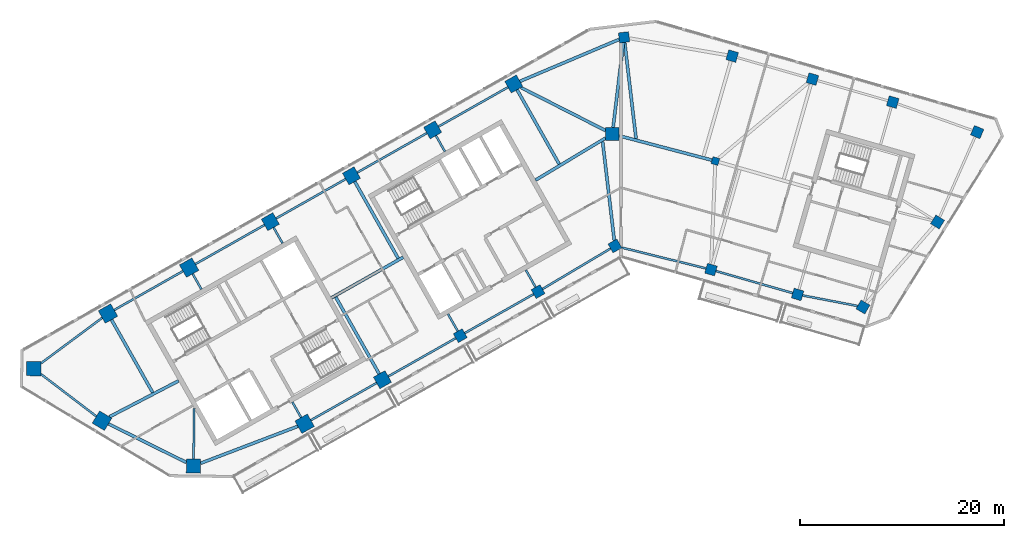
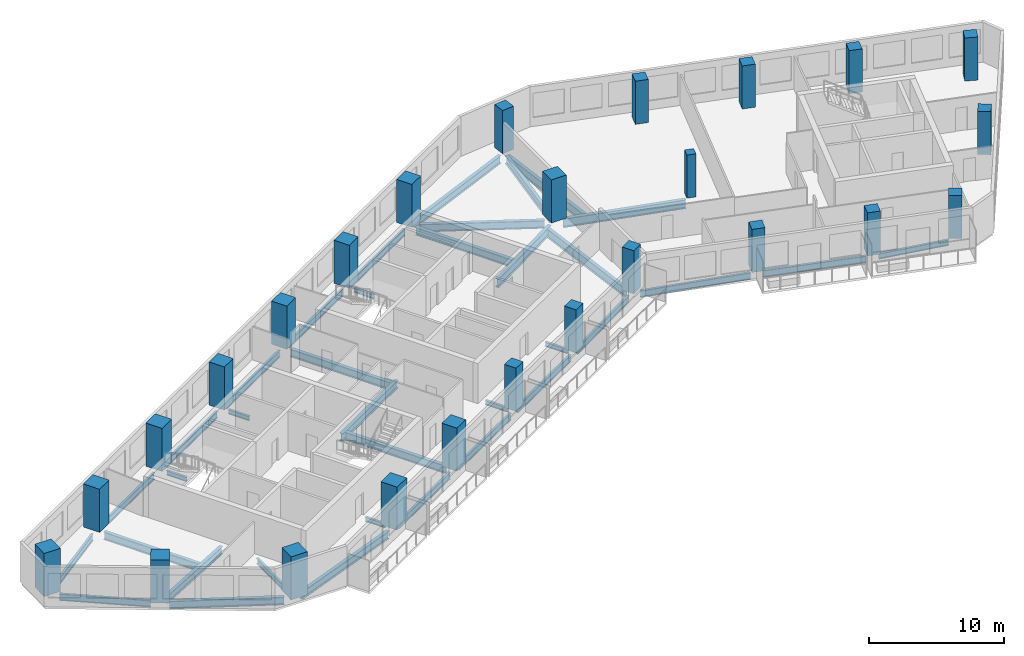
# One storey, part 1 of 12: 36 beams, 25 columns.
"""IFC4 building model written with IfcOpenShell, lengths in metres."""

from ifc_helpers import new_model, si_unit, direction, frame, origin, origin_2d, place, context, subcontext, project, spatial, rectangle, i_section, extrude, material, material_profile, profile_set, type_object, element, save


model = new_model("IFC4")

# Units and contexts
model_context = context("Model", 3, precision=1e-05, world=origin(), true_north=direction((0.0, 1.0)))
body_context = subcontext(model_context, "Body", "Model", "MODEL_VIEW")
ifc_project = project(units=[si_unit("LENGTHUNIT", "METRE"), si_unit("AREAUNIT", "SQUARE_METRE"), si_unit("VOLUMEUNIT", "CUBIC_METRE"), si_unit("PLANEANGLEUNIT", "RADIAN"), si_unit("MASSUNIT", "GRAM", prefix="KILO")], contexts=[model_context])

# Site, building, storey
site_placement = place(None, origin())
site = spatial("IfcSite", under=ifc_project, at=site_placement, CompositionType="ELEMENT")
building_placement = place(site_placement, origin())
building = spatial("IfcBuilding", under=site, at=building_placement, Name="Binnacle Exchange Tower", CompositionType="ELEMENT")
storey_placement = place(building_placement, frame((0.0, 0.0, 211.39990234375)))
storey = spatial("IfcBuildingStorey", under=building, at=storey_placement, Name="L46", CompositionType="ELEMENT", Elevation=211.39990234375)

# Columns
ifc_material_1 = material(Name="Concrete C60/75", Category="concrete")
ifc_material_profile_1 = material_profile(ifc_material_1, rectangle(XDim=0.699951171875, YDim=0.699951171875, at=origin_2d()), Name="Column 700x700 C60/75")
ifc_profile_set_1 = profile_set([ifc_material_profile_1], Name="Concrete C60/75")
column_type_1 = type_object("IfcColumnType", Name="Column 700x700 C60/75", PredefinedType="COLUMN", material=ifc_profile_set_1)
column_placement = place(storey_placement, frame((9.240966796875, 57.35009765625, 0.0), z_axis=(0.0, 0.0, 1.0), x_axis=(0.961261695938, -0.275637355817, 0.0)))
element("IfcColumn", 1, at=column_placement, inside=storey, type_object=column_type_1, Name="S:COL:C19:L46", PredefinedType="COLUMN", context=body_context, shape_type="SweptSolid", body=[
    extrude(rectangle(XDim=0.699951171875, YDim=0.699951171875, at=origin_2d()), origin(), (0.0, 0.0, 1.0), 3.900146484375),
])
ifc_material_profile_2 = material_profile(ifc_material_1, rectangle(XDim=1.0, YDim=1.0, at=origin_2d()), Name="Mega column 1000x1000 C60/75")
ifc_profile_set_2 = profile_set([ifc_material_profile_2], Name="Concrete C60/75")
column_type_2 = type_object("IfcColumnType", Name="Mega column 1000x1000 C60/75", PredefinedType="COLUMN", material=ifc_profile_set_2)
for number, where, z_axis, x_axis, name in (
    (2, (26.602783203125, 63.12353515625, 0.0), (0.0, 0.0, 1.0), (-0.961261695938, 0.275637355817, 0.0), "S:COL:MC52:L46"),
    (3, (18.746337890625, 65.376220703125, 0.0), (0.0, 0.0, 1.0), (-0.961261695938, 0.275637355817, 0.0), "S:COL:MC50:L46"),
    (4, (10.889892578125, 67.62890625, 0.0), (0.0, 0.0, 1.0), (-0.961261695938, 0.275637355817, 0.0), "S:COL:MC48:L46"),
    (5, (0.300048828125, 69.464111328125, 0.0), (0.0, 0.0, 1.0), (-0.993068456955, -0.117537397458, 0.0), "S:COL:MC47:L46"),
    (6, (-15.736328125, 40.257080078125, 0.0), (0.0, 0.0, 1.0), (0.87035569594, 0.492423560103, 0.0), "S:COL:MC24:L46"),
    (7, (-8.116943359375, 44.568115234375, 0.0), (0.0, 0.0, 1.0), (0.87035569594, 0.492423560103, 0.0), "S:COL:MC35:L46"),
    (8, (-0.5908203125, 49.04443359375, 0.0), (0.0, 0.0, 1.0), (0.87035569594, 0.492423560103, 0.0), "S:COL:MC46:L46"),
    (9, (8.8095703125, 46.722412109375, 0.0), (0.0, 0.0, 1.0), (0.961261695938, -0.275637355817, 0.0), "S:COL:MC49:L46"),
    (10, (17.2880859375, 44.291015625, 0.0), (0.0, 0.0, 1.0), (0.961261695938, -0.275637355817, 0.0), "S:COL:MC51:L46"),
    (11, (23.690185546875, 43.062744140625, 0.0), (0.0, 0.0, 1.0), (-0.86532642813, 0.501208711795, 0.0), "S:COL:MC53:L46"),
    (12, (30.989501953125, 51.38623046875, 0.0), (0.0, 0.0, 1.0), (0.529919264233, 0.848048096156, 0.0), "S:COL:MC55:L46"),
    (13, (34.870361328125, 60.18701171875, 0.0), (0.0, 0.0, 1.0), (-0.922814001807, 0.385245789164, 0.0), "S:COL:MC54:L46"),
):
    element("IfcColumn", number, at=place(storey_placement, frame(where, z_axis=z_axis, x_axis=x_axis)), inside=storey, type_object=column_type_2, Name=name, PredefinedType="COLUMN", context=body_context, shape_type="SweptSolid", body=[
        extrude(rectangle(XDim=1.0, YDim=1.0, at=origin_2d()), origin(), (0.0, 0.0, 1.0), 3.900146484375),
    ])
ifc_material_profile_3 = material_profile(ifc_material_1, rectangle(XDim=1.300048828125, YDim=1.300048828125, at=origin_2d()), Name="Mega column 1300x1300 C60/75")
ifc_profile_set_3 = profile_set([ifc_material_profile_3], Name="Concrete C60/75")
column_type_3 = type_object("IfcColumnType", Name="Mega column 1300x1300 C60/75", PredefinedType="COLUMN", material=ifc_profile_set_3)
for number, where, z_axis, x_axis, name in (
    (14, (-10.4951171875, 64.901611328125, 0.0), (0.0, 0.0, 1.0), (-0.87035569594, -0.492423560103, 0.0), "S:COL:MC38:L46"),
    (15, (-18.44140625, 60.406005859375, 0.0), (0.0, 0.0, 1.0), (-0.87035569594, -0.492423560103, 0.0), "S:COL:MC29:L46"),
    (16, (-26.3876953125, 55.91015625, 0.0), (0.0, 0.0, 1.0), (-0.87035569594, -0.492423560103, 0.0), "S:COL:MC21:L46"),
    (17, (-34.333740234375, 51.414306640625, 0.0), (0.0, 0.0, 1.0), (-0.87035569594, -0.492423560103, 0.0), "S:COL:MC13:L46"),
    (18, (-23.35595703125, 35.9462890625, 0.0), (0.0, 0.0, 1.0), (0.87035569594, 0.492423560103, 0.0), "S:COL:MC16:L46"),
    (19, (-0.85009765625, 60.0, 0.0), (0.0, 0.0, 1.0), (0.0, 1.0, 0.0), "S:COL:MC45:L46"),
):
    element("IfcColumn", number, at=place(storey_placement, frame(where, z_axis=z_axis, x_axis=x_axis)), inside=storey, type_object=column_type_3, Name=name, PredefinedType="COLUMN", context=body_context, shape_type="SweptSolid", body=[
        extrude(rectangle(XDim=1.300048828125, YDim=1.300048828125, at=origin_2d()), origin(), (0.0, 0.0, 1.0), 3.900146484375),
    ])
ifc_material_profile_4 = material_profile(ifc_material_1, rectangle(XDim=1.39990234375, YDim=1.39990234375, at=origin_2d()), Name="Mega column 1400x1400 C60/75")
ifc_profile_set_4 = profile_set([ifc_material_profile_4], Name="Concrete C60/75")
column_type_4 = type_object("IfcColumnType", Name="Mega column 1400x1400 C60/75", PredefinedType="COLUMN", material=ifc_profile_set_4)
for number, where, z_axis, x_axis, name in (
    (20, (-42.280029296875, 46.918701171875, 0.0), (0.0, 0.0, 1.0), (-0.87035569594, -0.492423560103, 0.0), "S:COL:MC08:L46"),
    (21, (-50.226318359375, 42.4228515625, 0.0), (0.0, 0.0, 1.0), (-0.87035569594, -0.492423560103, 0.0), "S:COL:MC04:L46"),
    (22, (-57.492919921875, 37.02734375, 0.0), (0.0, 0.0, 1.0), (-0.013089595571, -0.999914327574, 0.0), "S:COL:MC02:L46"),
    (23, (-50.81201171875, 31.930908203125, 0.0), (0.0, 0.0, 1.0), (0.857167300702, -0.51503807491, 0.0), "S:COL:MC01:L46"),
    (24, (-41.857666015625, 27.494873046875, 0.0), (0.0, 0.0, 1.0), (0.999914327574, -0.013089595571, 0.0), "S:COL:MC03:L46"),
    (25, (-30.9755859375, 31.63525390625, 0.0), (0.0, 0.0, 1.0), (0.87035569594, 0.492423560103, 0.0), "S:COL:MC07:L46"),
):
    element("IfcColumn", number, at=place(storey_placement, frame(where, z_axis=z_axis, x_axis=x_axis)), inside=storey, type_object=column_type_4, Name=name, PredefinedType="COLUMN", context=body_context, shape_type="SweptSolid", body=[
        extrude(rectangle(XDim=1.39990234375, YDim=1.39990234375, at=origin_2d()), origin(), (0.0, 0.0, 1.0), 3.900146484375),
    ])

# Beams
ifc_material_2 = material(Name="Steel S355 (SHN355)", Category="steel")
ifc_material_profile_5 = material_profile(ifc_material_2, i_section(OverallWidth=0.199951171875, OverallDepth=0.5, WebThickness=0.010009765625, FlangeThickness=0.01611328125, FilletRadius=0.02001953125, at=origin_2d()), Name="H 500x200x10x16")
ifc_profile_set_5 = profile_set([ifc_material_profile_5], Name="Steel S355 (SHN355)")
beam_type_1 = type_object("IfcBeamType", Name="Edge girder H 500x200x10x16 Steel S355 (SHN355)", PredefinedType="SPANDREL", material=ifc_profile_set_5)
beam_1_placement = place(storey_placement, frame((17.78125, 44.196533203125, -0.52978515625), z_axis=(0.98208728148, -0.188426568073, 0.0), x_axis=(0.188426568073, 0.98208728148, 0.0)))
element("IfcBeam", 26, at=beam_1_placement, inside=storey, type_object=beam_type_1, Name="S:BM:edge:L46:028", PredefinedType="SPANDREL", context=body_context, shape_type="SweptSolid", body=[
    extrude(i_section(OverallWidth=0.199951171875, OverallDepth=0.5, WebThickness=0.010009765625, FlangeThickness=0.01611328125, FilletRadius=0.02001953125, at=origin_2d()), origin(), (0.0, 0.0, 1.0), 5.4873046875),
])
ifc_material_profile_6 = material_profile(ifc_material_2, i_section(OverallWidth=0.199951171875, OverallDepth=0.60009765625, WebThickness=0.010986328125, FlangeThickness=0.01708984375, FilletRadius=0.02197265625, at=origin_2d()), Name="H 600x200x11x17")
ifc_profile_set_6 = profile_set([ifc_material_profile_6], Name="Steel S355 (SHN355)")
beam_type_2 = type_object("IfcBeamType", Name="Edge girder H 600x200x11x17 Steel S355 (SHN355)", PredefinedType="SPANDREL", material=ifc_profile_set_6)
beam_2_placement = place(storey_placement, frame((-56.7998046875, 36.49853515625, -0.579833984375), z_axis=(0.795081038606, -0.606503208606, 0.0), x_axis=(0.606503208606, 0.795081038606, 0.0)))
element("IfcBeam", 27, at=beam_2_placement, inside=storey, type_object=beam_type_2, Name="S:BM:edge:L46:011", PredefinedType="SPANDREL", context=body_context, shape_type="SweptSolid", body=[
    extrude(i_section(OverallWidth=0.199951171875, OverallDepth=0.60009765625, WebThickness=0.010986328125, FlangeThickness=0.01708984375, FilletRadius=0.02197265625, at=origin_2d()), origin(), (0.0, 0.0, 1.0), 6.82666015625),
])
ifc_material_profile_7 = material_profile(ifc_material_2, i_section(OverallWidth=0.200927734375, OverallDepth=0.60595703125, WebThickness=0.011962890625, FlangeThickness=0.02001953125, FilletRadius=0.02197265625, at=origin_2d()), Name="H 606x201x12x20")
ifc_profile_set_7 = profile_set([ifc_material_profile_7], Name="Steel S355 (SHN355)")
beam_type_3 = type_object("IfcBeamType", Name="Edge girder H 606x201x12x20 Steel S355 (SHN355)", PredefinedType="SPANDREL", material=ifc_profile_set_7)
beam_3_placement = place(storey_placement, frame((-50.79248046875, 42.00244140625, -0.5830078125), z_axis=(-0.802886959261, -0.596131303194, 0.0), x_axis=(0.596131303194, -0.802886959261, 0.0)))
element("IfcBeam", 28, at=beam_3_placement, inside=storey, type_object=beam_type_3, Name="S:BM:edge:L46:012", PredefinedType="SPANDREL", context=body_context, shape_type="SweptSolid", body=[
    extrude(i_section(OverallWidth=0.200927734375, OverallDepth=0.60595703125, WebThickness=0.011962890625, FlangeThickness=0.02001953125, FilletRadius=0.02197265625, at=origin_2d()), origin(), (0.0, 0.0, 1.0), 7.465087890625),
])
beam_4_placement = place(storey_placement, frame((-30.3662109375, 31.97998046875, -0.5830078125), z_axis=(0.87035151347, 0.49243095252, 0.0), x_axis=(-0.49243095252, 0.87035151347, 0.0)))
element("IfcBeam", 29, at=beam_4_placement, inside=storey, type_object=beam_type_3, Name="S:BM:edge:L46:017", PredefinedType="SPANDREL", context=body_context, shape_type="SweptSolid", body=[
    extrude(i_section(OverallWidth=0.200927734375, OverallDepth=0.60595703125, WebThickness=0.011962890625, FlangeThickness=0.02001953125, FilletRadius=0.02197265625, at=origin_2d()), origin(), (0.0, 0.0, 1.0), 7.404541015625),
])
beam_5_placement = place(storey_placement, frame((-22.790283203125, 36.266357421875, -0.5830078125), z_axis=(0.870357072119, 0.492421127708, 0.0), x_axis=(-0.492421127708, 0.870357072119, 0.0)))
element("IfcBeam", 30, at=beam_5_placement, inside=storey, type_object=beam_type_3, Name="S:BM:edge:L46:019", PredefinedType="SPANDREL", context=body_context, shape_type="SweptSolid", body=[
    extrude(i_section(OverallWidth=0.200927734375, OverallDepth=0.60595703125, WebThickness=0.011962890625, FlangeThickness=0.02001953125, FilletRadius=0.02197265625, at=origin_2d()), origin(), (0.0, 0.0, 1.0), 7.6044921875),
])
beam_6_placement = place(storey_placement, frame((-15.30126953125, 40.50341796875, -0.5830078125), z_axis=(0.870352841483, 0.492428605304, 0.0), x_axis=(-0.492428605304, 0.870352841483, 0.0)))
element("IfcBeam", 31, at=beam_6_placement, inside=storey, type_object=beam_type_3, Name="S:BM:edge:L46:021", PredefinedType="SPANDREL", context=body_context, shape_type="SweptSolid", body=[
    extrude(i_section(OverallWidth=0.200927734375, OverallDepth=0.60595703125, WebThickness=0.011962890625, FlangeThickness=0.02001953125, FilletRadius=0.02197265625, at=origin_2d()), origin(), (0.0, 0.0, 1.0), 7.754638671875),
])
beam_7_placement = place(storey_placement, frame((-7.68701171875, 44.82373046875, -0.5830078125), z_axis=(0.859458521045, 0.51120548765, 0.0), x_axis=(-0.51120548765, 0.859458521045, 0.0)))
element("IfcBeam", 32, at=beam_7_placement, inside=storey, type_object=beam_type_3, Name="S:BM:edge:L46:023", PredefinedType="SPANDREL", context=body_context, shape_type="SweptSolid", body=[
    extrude(i_section(OverallWidth=0.200927734375, OverallDepth=0.60595703125, WebThickness=0.011962890625, FlangeThickness=0.02001953125, FilletRadius=0.02197265625, at=origin_2d()), origin(), (0.0, 0.0, 1.0), 7.75634765625),
])
beam_8_placement = place(storey_placement, frame((9.2900390625, 46.58447265625, -0.5830078125), z_axis=(0.961265533153, -0.275623973506, 0.0), x_axis=(0.275623973506, 0.961265533153, 0.0)))
element("IfcBeam", 33, at=beam_8_placement, inside=storey, type_object=beam_type_3, Name="S:BM:edge:L46:026", PredefinedType="SPANDREL", context=body_context, shape_type="SweptSolid", body=[
    extrude(i_section(OverallWidth=0.200927734375, OverallDepth=0.60595703125, WebThickness=0.011962890625, FlangeThickness=0.02001953125, FilletRadius=0.02197265625, at=origin_2d()), origin(), (0.0, 0.0, 1.0), 7.820556640625),
])
ifc_material_profile_8 = material_profile(ifc_material_2, i_section(OverallWidth=0.201904296875, OverallDepth=0.612060546875, WebThickness=0.012939453125, FlangeThickness=0.02294921875, FilletRadius=0.02197265625, at=origin_2d()), Name="H 612x202x13x23")
ifc_profile_set_8 = profile_set([ifc_material_profile_8], Name="Steel S355 (SHN355)")
beam_type_4 = type_object("IfcBeamType", Name="Edge girder H 612x202x13x23 Steel S355 (SHN355)", PredefinedType="SPANDREL", material=ifc_profile_set_8)
beam_9_placement = place(storey_placement, frame((-42.88916015625, 46.573974609375, -0.5859375), z_axis=(-0.870355702011, -0.492423549372, 0.0), x_axis=(0.492423549372, -0.870355702011, 0.0)))
element("IfcBeam", 34, at=beam_9_placement, inside=storey, type_object=beam_type_4, Name="S:BM:edge:L46:014", PredefinedType="SPANDREL", context=body_context, shape_type="SweptSolid", body=[
    extrude(i_section(OverallWidth=0.201904296875, OverallDepth=0.612060546875, WebThickness=0.012939453125, FlangeThickness=0.02294921875, FilletRadius=0.02197265625, at=origin_2d()), origin(), (0.0, 0.0, 1.0), 7.72998046875),
])
beam_10_placement = place(storey_placement, frame((-34.8994140625, 51.09423828125, -0.5859375), z_axis=(-0.870365218126, -0.492406729317, 0.0), x_axis=(0.492406729317, -0.870365218126, 0.0)))
element("IfcBeam", 35, at=beam_10_placement, inside=storey, type_object=beam_type_4, Name="S:BM:edge:L46:016", PredefinedType="SPANDREL", context=body_context, shape_type="SweptSolid", body=[
    extrude(i_section(OverallWidth=0.201904296875, OverallDepth=0.612060546875, WebThickness=0.012939453125, FlangeThickness=0.02294921875, FilletRadius=0.02197265625, at=origin_2d()), origin(), (0.0, 0.0, 1.0), 7.77978515625),
])
beam_11_placement = place(storey_placement, frame((-26.953369140625, 55.590087890625, -0.5859375), z_axis=(-0.870361249296, -0.492413744452, 0.0), x_axis=(0.492413744452, -0.870361249296, 0.0)))
element("IfcBeam", 36, at=beam_11_placement, inside=storey, type_object=beam_type_4, Name="S:BM:edge:L46:018", PredefinedType="SPANDREL", context=body_context, shape_type="SweptSolid", body=[
    extrude(i_section(OverallWidth=0.201904296875, OverallDepth=0.612060546875, WebThickness=0.012939453125, FlangeThickness=0.02294921875, FilletRadius=0.02197265625, at=origin_2d()), origin(), (0.0, 0.0, 1.0), 7.829833984375),
])
beam_12_placement = place(storey_placement, frame((-19.007080078125, 60.0859375, -0.5859375), z_axis=(-0.870355446453, -0.492424001069, 0.0), x_axis=(0.492424001069, -0.870355446453, 0.0)))
element("IfcBeam", 37, at=beam_12_placement, inside=storey, type_object=beam_type_4, Name="S:BM:edge:L46:020", PredefinedType="SPANDREL", context=body_context, shape_type="SweptSolid", body=[
    extrude(i_section(OverallWidth=0.201904296875, OverallDepth=0.612060546875, WebThickness=0.012939453125, FlangeThickness=0.02294921875, FilletRadius=0.02197265625, at=origin_2d()), origin(), (0.0, 0.0, 1.0), 7.830078125),
])
beam_13_placement = place(storey_placement, frame((-11.060791015625, 64.58154296875, -0.5859375), z_axis=(-0.870361249296, -0.492413744452, 0.0), x_axis=(0.492413744452, -0.870361249296, 0.0)))
element("IfcBeam", 38, at=beam_13_placement, inside=storey, type_object=beam_type_4, Name="S:BM:edge:L46:022", PredefinedType="SPANDREL", context=body_context, shape_type="SweptSolid", body=[
    extrude(i_section(OverallWidth=0.201904296875, OverallDepth=0.612060546875, WebThickness=0.012939453125, FlangeThickness=0.02294921875, FilletRadius=0.02197265625, at=origin_2d()), origin(), (0.0, 0.0, 1.0), 7.829833984375),
])
beam_14_placement = place(storey_placement, frame((0.076904296875, 48.87939453125, -0.5859375), z_axis=(0.970819987475, -0.239809407487, 0.0), x_axis=(0.239809407487, 0.970819987475, 0.0)))
element("IfcBeam", 39, at=beam_14_placement, inside=storey, type_object=beam_type_4, Name="S:BM:edge:L46:025", PredefinedType="SPANDREL", context=body_context, shape_type="SweptSolid", body=[
    extrude(i_section(OverallWidth=0.201904296875, OverallDepth=0.612060546875, WebThickness=0.012939453125, FlangeThickness=0.02294921875, FilletRadius=0.02197265625, at=origin_2d()), origin(), (0.0, 0.0, 1.0), 8.49462890625),
])
ifc_material_profile_9 = material_profile(ifc_material_2, i_section(OverallWidth=0.300048828125, OverallDepth=0.699951171875, WebThickness=0.012939453125, FlangeThickness=0.02392578125, FilletRadius=0.028076171875, at=origin_2d()), Name="H 700x300x13x24")
ifc_profile_set_9 = profile_set([ifc_material_profile_9], Name="Steel S355 (SHN355)")
beam_type_5 = type_object("IfcBeamType", Name="Edge girder H 700x300x13x24 Steel S355 (SHN355)", PredefinedType="SPANDREL", material=ifc_profile_set_9)
beam_15_placement = place(storey_placement, frame((-50.1826171875, 31.619140625, -0.6298828125), z_axis=(0.896061326398, -0.443930286569, 0.0), x_axis=(0.443930286569, 0.896061326398, 0.0)))
element("IfcBeam", 40, at=beam_15_placement, inside=storey, type_object=beam_type_5, Name="S:BM:edge:L46:013", PredefinedType="SPANDREL", context=body_context, shape_type="SweptSolid", body=[
    extrude(i_section(OverallWidth=0.300048828125, OverallDepth=0.699951171875, WebThickness=0.012939453125, FlangeThickness=0.02392578125, FilletRadius=0.028076171875, at=origin_2d()), origin(), (0.0, 0.0, 1.0), 8.514404296875),
])
beam_16_placement = place(storey_placement, frame((-41.154052734375, 27.762451171875, -0.6298828125), z_axis=(0.934627442278, 0.355628379268, 0.0), x_axis=(-0.355628379268, 0.934627442278, 0.0)))
element("IfcBeam", 41, at=beam_16_placement, inside=storey, type_object=beam_type_5, Name="S:BM:edge:L46:015", PredefinedType="SPANDREL", context=body_context, shape_type="SweptSolid", body=[
    extrude(i_section(OverallWidth=0.300048828125, OverallDepth=0.699951171875, WebThickness=0.012939453125, FlangeThickness=0.02392578125, FilletRadius=0.028076171875, at=origin_2d()), origin(), (0.0, 0.0, 1.0), 10.18212890625),
])
beam_17_placement = place(storey_placement, frame((-0.179443359375, 69.261474609375, -0.6298828125), z_axis=(-0.921114178723, -0.389292524659, 0.0), x_axis=(0.389292524659, -0.921114178723, 0.0)))
element("IfcBeam", 42, at=beam_17_placement, inside=storey, type_object=beam_type_5, Name="S:BM:edge:L46:024", PredefinedType="SPANDREL", context=body_context, shape_type="SweptSolid", body=[
    extrude(i_section(OverallWidth=0.300048828125, OverallDepth=0.699951171875, WebThickness=0.012939453125, FlangeThickness=0.02392578125, FilletRadius=0.028076171875, at=origin_2d()), origin(), (0.0, 0.0, 1.0), 10.544677734375),
])
ifc_material_profile_10 = material_profile(ifc_material_2, i_section(OverallWidth=0.199951171875, OverallDepth=0.39990234375, WebThickness=0.008056640625, FlangeThickness=0.012939453125, FilletRadius=0.01611328125, at=origin_2d()), Name="H 400x200x8x13")
ifc_profile_set_10 = profile_set([ifc_material_profile_10], Name="Steel S355 (SHN355)")
beam_type_6 = type_object("IfcBeamType", Name="Floor beam H 400x200x8x13 Steel S355 (SHN355)", PredefinedType="BEAM", material=ifc_profile_set_10)
beam_18_placement = place(storey_placement, frame((-41.935302734375, 46.3095703125, -0.47998046875), z_axis=(0.492405102951, -0.870366138236, 0.0), x_axis=(0.870366138236, 0.492405102951, 0.0)))
element("IfcBeam", 43, at=beam_18_placement, inside=storey, type_object=beam_type_6, Name="S:BM:cross:L46:035", PredefinedType="BEAM", context=body_context, shape_type="SweptSolid", body=[
    extrude(i_section(OverallWidth=0.199951171875, OverallDepth=0.39990234375, WebThickness=0.008056640625, FlangeThickness=0.012939453125, FilletRadius=0.01611328125, at=origin_2d()), origin(), (0.0, 0.0, 1.0), 1.734375),
])
beam_19_placement = place(storey_placement, frame((-34.013671875, 50.8486328125, -0.47998046875), z_axis=(0.492435931281, -0.870348696548, 0.0), x_axis=(0.870348696548, 0.492435931281, 0.0)))
element("IfcBeam", 44, at=beam_19_placement, inside=storey, type_object=beam_type_6, Name="S:BM:cross:L46:037", PredefinedType="BEAM", context=body_context, shape_type="SweptSolid", body=[
    extrude(i_section(OverallWidth=0.199951171875, OverallDepth=0.39990234375, WebThickness=0.008056640625, FlangeThickness=0.012939453125, FilletRadius=0.01611328125, at=origin_2d()), origin(), (0.0, 0.0, 1.0), 1.784423828125),
])
beam_20_placement = place(storey_placement, frame((-31.3203125, 32.244384765625, -0.47998046875), z_axis=(-0.492405102951, 0.870366138236, 0.0), x_axis=(-0.870366138236, -0.492405102951, 0.0)))
element("IfcBeam", 45, at=beam_20_placement, inside=storey, type_object=beam_type_6, Name="S:BM:cross:L46:038", PredefinedType="BEAM", context=body_context, shape_type="SweptSolid", body=[
    extrude(i_section(OverallWidth=0.199951171875, OverallDepth=0.39990234375, WebThickness=0.008056640625, FlangeThickness=0.012939453125, FilletRadius=0.01611328125, at=origin_2d()), origin(), (0.0, 0.0, 1.0), 1.734375),
])
beam_21_placement = place(storey_placement, frame((-18.12109375, 59.84033203125, -0.47998046875), z_axis=(0.49233227435, -0.870407336615, 0.0), x_axis=(0.870407336615, 0.49233227435, 0.0)))
element("IfcBeam", 46, at=beam_21_placement, inside=storey, type_object=beam_type_6, Name="S:BM:cross:L46:041", PredefinedType="BEAM", context=body_context, shape_type="SweptSolid", body=[
    extrude(i_section(OverallWidth=0.199951171875, OverallDepth=0.39990234375, WebThickness=0.008056640625, FlangeThickness=0.012939453125, FilletRadius=0.01611328125, at=origin_2d()), origin(), (0.0, 0.0, 1.0), 1.7841796875),
])
for number, where, z_axis, x_axis, name in (
    (47, (-15.982666015625, 40.6923828125, -0.47998046875), (-0.492369148916, 0.870386478063, 0.0), (-0.870386478063, -0.492369148916, 0.0), "S:BM:cross:L46:042"),
    (48, (-8.363037109375, 45.00341796875, -0.47998046875), (-0.492518856771, 0.870301772792, 0.0), (-0.870301772792, -0.492518856771, 0.0), "S:BM:cross:L46:044"),
):
    element("IfcBeam", number, at=place(storey_placement, frame(where, z_axis=z_axis, x_axis=x_axis)), inside=storey, type_object=beam_type_6, Name=name, PredefinedType="BEAM", context=body_context, shape_type="SweptSolid", body=[
        extrude(i_section(OverallWidth=0.199951171875, OverallDepth=0.39990234375, WebThickness=0.008056640625, FlangeThickness=0.012939453125, FilletRadius=0.01611328125, at=origin_2d()), origin(), (0.0, 0.0, 1.0), 1.934326171875),
    ])
ifc_material_profile_11 = material_profile(ifc_material_2, i_section(OverallWidth=0.200927734375, OverallDepth=0.506103515625, WebThickness=0.010986328125, FlangeThickness=0.01904296875, FilletRadius=0.02001953125, at=origin_2d()), Name="H 506x201x11x19")
ifc_profile_set_11 = profile_set([ifc_material_profile_11], Name="Steel S355 (SHN355)")
beam_type_7 = type_object("IfcBeamType", Name="Floor beam H 506x201x11x19 Steel S355 (SHN355)", PredefinedType="BEAM", material=ifc_profile_set_11)
beam_22_placement = place(storey_placement, frame((-41.848388671875, 28.194580078125, -0.532958984375), z_axis=(0.013067878487, 0.99991461163, 0.0), x_axis=(-0.99991461163, 0.013067878487, 0.0)))
element("IfcBeam", 49, at=beam_22_placement, inside=storey, type_object=beam_type_7, Name="S:BM:cross:L46:036", PredefinedType="BEAM", context=body_context, shape_type="SweptSolid", body=[
    extrude(i_section(OverallWidth=0.200927734375, OverallDepth=0.506103515625, WebThickness=0.010986328125, FlangeThickness=0.01904296875, FilletRadius=0.02001953125, at=origin_2d()), origin(), (0.0, 0.0, 1.0), 4.950927734375),
])
ifc_material_profile_12 = material_profile(ifc_material_2, i_section(OverallWidth=0.300048828125, OverallDepth=0.699951171875, WebThickness=0.012939453125, FlangeThickness=0.02392578125, FilletRadius=0.028076171875, at=origin_2d()), Name="H 700x300x13x24")
ifc_profile_set_12 = profile_set([ifc_material_profile_12], Name="Steel S355 (SHN355)")
beam_type_8 = type_object("IfcBeamType", Name="Floor beam H 700x300x13x24 Steel S355 (SHN355)", PredefinedType="BEAM", material=ifc_profile_set_12)
beam_23_placement = place(storey_placement, frame((-49.881591796875, 41.813720703125, -0.6298828125), z_axis=(0.492430408551, -0.870351821239, 0.0), x_axis=(0.870351821239, 0.492430408551, 0.0)))
element("IfcBeam", 50, at=beam_23_placement, inside=storey, type_object=beam_type_8, Name="S:BM:cross:L46:034", PredefinedType="BEAM", context=body_context, shape_type="SweptSolid", body=[
    extrude(i_section(OverallWidth=0.300048828125, OverallDepth=0.699951171875, WebThickness=0.012939453125, FlangeThickness=0.02392578125, FilletRadius=0.028076171875, at=origin_2d()), origin(), (0.0, 0.0, 1.0), 8.19140625),
])
beam_24_placement = place(storey_placement, frame((-10.175048828125, 64.3359375, -0.6298828125), z_axis=(0.492424391334, -0.870355225652, 0.0), x_axis=(0.870355225652, 0.492424391334, 0.0)))
element("IfcBeam", 51, at=beam_24_placement, inside=storey, type_object=beam_type_8, Name="S:BM:cross:L46:043", PredefinedType="BEAM", context=body_context, shape_type="SweptSolid", body=[
    extrude(i_section(OverallWidth=0.300048828125, OverallDepth=0.699951171875, WebThickness=0.012939453125, FlangeThickness=0.02392578125, FilletRadius=0.028076171875, at=origin_2d()), origin(), (0.0, 0.0, 1.0), 8.369384765625),
])
ifc_material_profile_13 = material_profile(ifc_material_2, i_section(OverallWidth=0.302001953125, OverallDepth=0.7080078125, WebThickness=0.014892578125, FlangeThickness=0.028076171875, FilletRadius=0.028076171875, at=origin_2d()), Name="H 708x302x15x28")
ifc_profile_set_13 = profile_set([ifc_material_profile_13], Name="Steel S355 (SHN355)")
beam_type_9 = type_object("IfcBeamType", Name="Floor beam H 708x302x15x28 Steel S355 (SHN355)", PredefinedType="BEAM", material=ifc_profile_set_13)
beam_25_placement = place(storey_placement, frame((-26.0673828125, 55.344482421875, -0.6337890625), z_axis=(0.492401028839, -0.870368443131, 0.0), x_axis=(0.870368443131, 0.492401028839, 0.0)))
element("IfcBeam", 52, at=beam_25_placement, inside=storey, type_object=beam_type_9, Name="S:BM:cross:L46:039", PredefinedType="BEAM", context=body_context, shape_type="SweptSolid", body=[
    extrude(i_section(OverallWidth=0.302001953125, OverallDepth=0.7080078125, WebThickness=0.014892578125, FlangeThickness=0.028076171875, FilletRadius=0.028076171875, at=origin_2d()), origin(), (0.0, 0.0, 1.0), 8.634033203125),
])
beam_26_placement = place(storey_placement, frame((-23.676025390625, 36.511962890625, -0.6337890625), z_axis=(-0.492422448747, 0.870356324714, 0.0), x_axis=(-0.870356324714, -0.492422448747, 0.0)))
element("IfcBeam", 53, at=beam_26_placement, inside=storey, type_object=beam_type_9, Name="S:BM:cross:L46:040", PredefinedType="BEAM", context=body_context, shape_type="SweptSolid", body=[
    extrude(i_section(OverallWidth=0.302001953125, OverallDepth=0.7080078125, WebThickness=0.014892578125, FlangeThickness=0.028076171875, FilletRadius=0.028076171875, at=origin_2d()), origin(), (0.0, 0.0, 1.0), 8.63427734375),
])
ifc_material_profile_14 = material_profile(ifc_material_2, i_section(OverallWidth=0.300048828125, OverallDepth=0.800048828125, WebThickness=0.013916015625, FlangeThickness=0.02587890625, FilletRadius=0.028076171875, at=origin_2d()), Name="H 800x300x14x26")
ifc_profile_set_14 = profile_set([ifc_material_profile_14], Name="Steel S355 (SHN355)")
beam_type_10 = type_object("IfcBeamType", Name="Floor beam H 800x300x14x26 Steel S355 (SHN355)", PredefinedType="BEAM", material=ifc_profile_set_14)
beam_27_placement = place(storey_placement, frame((-0.654541015625, 49.5830078125, -0.679931640625), z_axis=(-0.117538284625, 0.993068351951, 0.0), x_axis=(-0.993068351951, -0.117538284625, 0.0)))
element("IfcBeam", 54, at=beam_27_placement, inside=storey, type_object=beam_type_10, Name="S:BM:cross:L46:045", PredefinedType="BEAM", context=body_context, shape_type="SweptSolid", body=[
    extrude(i_section(OverallWidth=0.300048828125, OverallDepth=0.800048828125, WebThickness=0.013916015625, FlangeThickness=0.02587890625, FilletRadius=0.028076171875, at=origin_2d()), origin(), (0.0, 0.0, 1.0), 9.754150390625),
])
beam_28_placement = place(storey_placement, frame((0.35888671875, 68.9677734375, -0.679931640625), z_axis=(0.117547988923, -0.993067203315, 0.0), x_axis=(0.993067203315, 0.117547988923, 0.0)))
element("IfcBeam", 55, at=beam_28_placement, inside=storey, type_object=beam_type_10, Name="S:BM:cross:L46:046", PredefinedType="BEAM", context=body_context, shape_type="SweptSolid", body=[
    extrude(i_section(OverallWidth=0.300048828125, OverallDepth=0.800048828125, WebThickness=0.013916015625, FlangeThickness=0.02587890625, FilletRadius=0.028076171875, at=origin_2d()), origin(), (0.0, 0.0, 1.0), 9.5),
])
ifc_material_profile_15 = material_profile(ifc_material_2, i_section(OverallWidth=0.300048828125, OverallDepth=0.699951171875, WebThickness=0.012939453125, FlangeThickness=0.02392578125, FilletRadius=0.028076171875, at=origin_2d()), Name="H 700x300x13x24")
ifc_profile_set_15 = profile_set([ifc_material_profile_15], Name="Steel S355 (SHN355)")
beam_type_11 = type_object("IfcBeamType", Name="Spine girder H 700x300x13x24 Steel S355 (SHN355)", PredefinedType="BEAM", material=ifc_profile_set_15)
beam_29_placement = place(storey_placement, frame((-50.083740234375, 32.31005859375, -0.6298828125), z_axis=(0.886975994229, 0.46181553207, 0.0), x_axis=(-0.46181553207, 0.886975994229, 0.0)))
element("IfcBeam", 56, at=beam_29_placement, inside=storey, type_object=beam_type_11, Name="S:BM:spine:L46:001", PredefinedType="BEAM", context=body_context, shape_type="SweptSolid", body=[
    extrude(i_section(OverallWidth=0.300048828125, OverallDepth=0.699951171875, WebThickness=0.012939453125, FlangeThickness=0.02392578125, FilletRadius=0.028076171875, at=origin_2d()), origin(), (0.0, 0.0, 1.0), 7.6396484375),
])
beam_30_placement = place(storey_placement, frame((-1.5, 60.330322265625, -0.6298828125), z_axis=(-0.891481538846, 0.453057022786, 0.0), x_axis=(-0.453057022786, -0.891481538846, 0.0)))
element("IfcBeam", 57, at=beam_30_placement, inside=storey, type_object=beam_type_11, Name="S:BM:spine:L46:004", PredefinedType="BEAM", context=body_context, shape_type="SweptSolid", body=[
    extrude(i_section(OverallWidth=0.300048828125, OverallDepth=0.699951171875, WebThickness=0.012939453125, FlangeThickness=0.02392578125, FilletRadius=0.028076171875, at=origin_2d()), origin(), (0.0, 0.0, 1.0), 9.31005859375),
])
beam_31_placement = place(storey_placement, frame((-0.77099609375, 60.64990234375, -0.6298828125), z_axis=(0.120632086068, 0.992697285083, 0.0), x_axis=(-0.992697285083, 0.120632086068, 0.0)))
element("IfcBeam", 58, at=beam_31_placement, inside=storey, type_object=beam_type_11, Name="S:BM:spine:L46:005", PredefinedType="BEAM", context=body_context, shape_type="SweptSolid", body=[
    extrude(i_section(OverallWidth=0.300048828125, OverallDepth=0.699951171875, WebThickness=0.012939453125, FlangeThickness=0.02392578125, FilletRadius=0.028076171875, at=origin_2d()), origin(), (0.0, 0.0, 1.0), 8.364501953125),
])
ifc_material_profile_16 = material_profile(ifc_material_2, i_section(OverallWidth=0.302001953125, OverallDepth=0.7080078125, WebThickness=0.014892578125, FlangeThickness=0.028076171875, FilletRadius=0.028076171875, at=origin_2d()), Name="H 708x302x15x28")
ifc_profile_set_16 = profile_set([ifc_material_profile_16], Name="Steel S355 (SHN355)")
beam_type_12 = type_object("IfcBeamType", Name="Spine girder H 708x302x15x28 Steel S355 (SHN355)", PredefinedType="BEAM", material=ifc_profile_set_16)
beam_32_placement = place(storey_placement, frame((-28.365478515625, 43.951416015625, -0.6337890625), z_axis=(0.870350319004, 0.492433063684, 0.0), x_axis=(-0.492433063684, 0.870350319004, 0.0)))
element("IfcBeam", 59, at=beam_32_placement, inside=storey, type_object=beam_type_12, Name="S:BM:spine:L46:002", PredefinedType="BEAM", context=body_context, shape_type="SweptSolid", body=[
    extrude(i_section(OverallWidth=0.302001953125, OverallDepth=0.7080078125, WebThickness=0.014892578125, FlangeThickness=0.028076171875, FilletRadius=0.028076171875, at=origin_2d()), origin(), (0.0, 0.0, 1.0), 8.0908203125),
])
ifc_material_profile_17 = material_profile(ifc_material_2, i_section(OverallWidth=0.300048828125, OverallDepth=0.800048828125, WebThickness=0.013916015625, FlangeThickness=0.02587890625, FilletRadius=0.028076171875, at=origin_2d()), Name="H 800x300x14x26")
ifc_profile_set_17 = profile_set([ifc_material_profile_17], Name="Steel S355 (SHN355)")
beam_type_13 = type_object("IfcBeamType", Name="Spine girder H 800x300x14x26 Steel S355 (SHN355)", PredefinedType="BEAM", material=ifc_profile_set_17)
beam_33_placement = place(storey_placement, frame((-8.36328125, 55.489990234375, -0.679931640625), z_axis=(0.857387955422, 0.514670665472, 0.0), x_axis=(-0.514670665472, 0.857387955422, 0.0)))
element("IfcBeam", 60, at=beam_33_placement, inside=storey, type_object=beam_type_13, Name="S:BM:spine:L46:003", PredefinedType="BEAM", context=body_context, shape_type="SweptSolid", body=[
    extrude(i_section(OverallWidth=0.300048828125, OverallDepth=0.800048828125, WebThickness=0.013916015625, FlangeThickness=0.02587890625, FilletRadius=0.028076171875, at=origin_2d()), origin(), (0.0, 0.0, 1.0), 8.0048828125),
])
beam_34_placement = place(storey_placement, frame((-0.199951171875, 59.829345703125, -0.679931640625), z_axis=(0.967210495765, -0.253976095098, 0.0), x_axis=(0.253976095098, 0.967210495765, 0.0)))
element("IfcBeam", 61, at=beam_34_placement, inside=storey, type_object=beam_type_13, Name="S:BM:spine:L46:006", PredefinedType="BEAM", context=body_context, shape_type="SweptSolid", body=[
    extrude(i_section(OverallWidth=0.300048828125, OverallDepth=0.800048828125, WebThickness=0.013916015625, FlangeThickness=0.02587890625, FilletRadius=0.028076171875, at=origin_2d()), origin(), (0.0, 0.0, 1.0), 9.410888671875),
])

save(model, "model.ifc")
